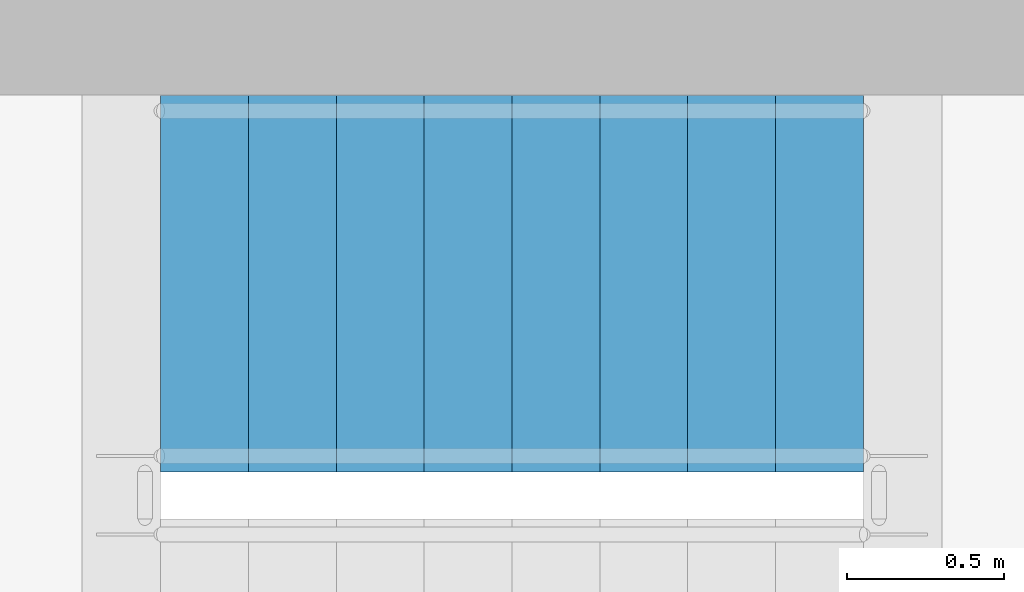
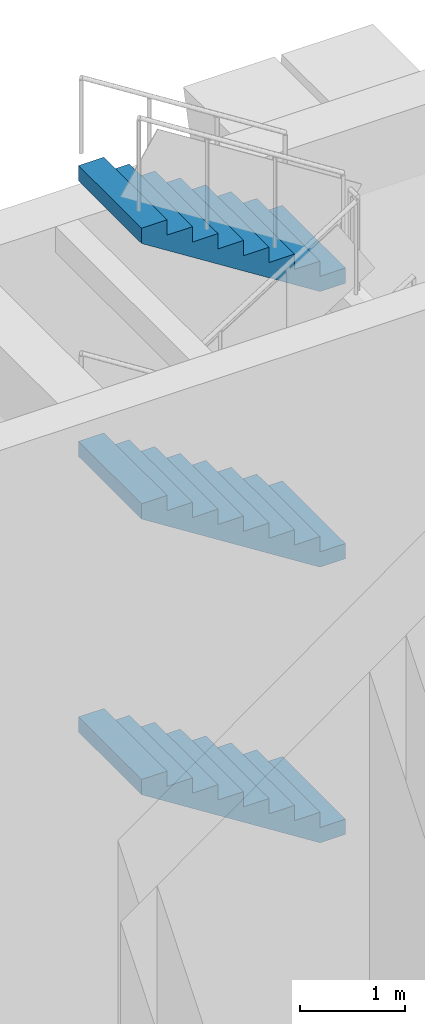
# One storey, part 12 of 16: 3 stair flights, 1 element without a shape of its own.
"""IFC4 building model written with IfcOpenShell, lengths in metres."""

from ifc_helpers import new_model, si_unit, direction, frame, origin, place, context, subcontext, project, spatial, polyline, outline, extrude, material, type_object, element, aggregate, save


model = new_model("IFC4")

# Units and contexts
model_context = context("Model", 3, precision=1e-05, world=origin(), true_north=direction((0.0, 1.0)))
body_context = subcontext(model_context, "Body", "Model", "MODEL_VIEW")
ifc_project = project(units=[si_unit("LENGTHUNIT", "METRE"), si_unit("AREAUNIT", "SQUARE_METRE"), si_unit("VOLUMEUNIT", "CUBIC_METRE"), si_unit("PLANEANGLEUNIT", "RADIAN"), si_unit("MASSUNIT", "GRAM", prefix="KILO")], contexts=[model_context])

# Site, building, storey
site_placement = place(None, origin())
site = spatial("IfcSite", under=ifc_project, at=site_placement, CompositionType="ELEMENT")
building_placement = place(site_placement, origin())
building = spatial("IfcBuilding", under=site, at=building_placement, Name="Vidyagriha Tower", CompositionType="ELEMENT")
storey_placement = place(building_placement, frame((0.0, 0.0, 64.0)))
storey = spatial("IfcBuildingStorey", under=building, at=storey_placement, Name="L17", CompositionType="ELEMENT", Elevation=64.0)

# Stair, stair flights
ifc_material_1 = material(Name="Concrete C40/50", Category="concrete")
stair_type = type_object("IfcStairType", Name="Exit stair, half-turn, precast flights", PredefinedType="HALF_TURN_STAIR", material=ifc_material_1)
stair_placement = place(storey_placement, origin())
stair = element("IfcStair", 1, at=stair_placement, inside=storey, type_object=stair_type, Name="L17 Exit Stair ST3", PredefinedType="HALF_TURN_STAIR")
ifc_material_2 = material(Name="Precast concrete C40/50", Category="concrete")
stair_flight_type = type_object("IfcStairFlightType", Name="Exit stair flight 1200 mm, precast", PredefinedType="STRAIGHT", material=ifc_material_2)
stair_flight_1_placement = place(storey_placement, frame((6.239990234375, 18.89990234375, 1.60009765625), z_axis=(0.0, 0.0, 1.0), x_axis=(-1.0, 0.0, 0.0)))
stair_flight_1 = element("IfcStairFlight", 2, at=stair_flight_1_placement, type_object=stair_flight_type, Name="ST3 flight 2", NumberOfRisers=9, NumberOfTreads=8, PredefinedType="STRAIGHT", RiserHeight=0.177777778, TreadLength=0.28, context=body_context, shape_type="SweptSolid", body=[
    extrude(outline(polyline([(0.0, 0.0), (0.0, 0.177734375), (0.280029296875, 0.177734375), (0.280029296875, 0.35546875), (0.56005859375, 0.35546875), (0.56005859375, 0.533447265625), (0.840087890625, 0.533447265625), (0.840087890625, 0.711181640625), (1.1201171875, 0.711181640625), (1.1201171875, 0.888916015625), (1.39990234375, 0.888916015625), (1.39990234375, 1.066650390625), (1.679931640625, 1.066650390625), (1.679931640625, 1.244384765625), (1.9599609375, 1.244384765625), (1.9599609375, 1.422119140625), (2.239990234375, 1.422119140625), (2.239990234375, 1.60009765625), (2.239990234375, 1.24462890625), (0.27978515625, 0.0), (0.0, 0.0)])), frame((0.0, 0.60009765625, 0.0), z_axis=(0.0, -1.0, 0.0), x_axis=(1.0, 0.0, 0.0)), (0.0, 0.0, 1.0), 1.199951171875),
])
stair_flight_2_placement = place(storey_placement, frame((6.239990234375, 18.89990234375, 4.800048828125), z_axis=(0.0, 0.0, 1.0), x_axis=(-1.0, 0.0, 0.0)))
stair_flight_2 = element("IfcStairFlight", 3, at=stair_flight_2_placement, type_object=stair_flight_type, Name="ST3 flight 4", NumberOfRisers=9, NumberOfTreads=8, PredefinedType="STRAIGHT", RiserHeight=0.177777778, TreadLength=0.28, context=body_context, shape_type="SweptSolid", body=[
    extrude(outline(polyline([(0.0, 0.0), (0.0, 0.177734375), (0.280029296875, 0.177734375), (0.280029296875, 0.35546875), (0.56005859375, 0.35546875), (0.56005859375, 0.533447265625), (0.840087890625, 0.533447265625), (0.840087890625, 0.711181640625), (1.1201171875, 0.711181640625), (1.1201171875, 0.888916015625), (1.39990234375, 0.888916015625), (1.39990234375, 1.066650390625), (1.679931640625, 1.066650390625), (1.679931640625, 1.244384765625), (1.9599609375, 1.244384765625), (1.9599609375, 1.422119140625), (2.239990234375, 1.422119140625), (2.239990234375, 1.60009765625), (2.239990234375, 1.24462890625), (0.27978515625, 0.0), (0.0, 0.0)])), frame((0.0, 0.60009765625, 0.0), z_axis=(0.0, -1.0, 0.0), x_axis=(1.0, 0.0, 0.0)), (0.0, 0.0, 1.0), 1.199951171875),
])
stair_flight_3_placement = place(storey_placement, frame((6.239990234375, 18.89990234375, 8.0), z_axis=(0.0, 0.0, 1.0), x_axis=(-1.0, 0.0, 0.0)))
stair_flight_3 = element("IfcStairFlight", 4, at=stair_flight_3_placement, type_object=stair_flight_type, Name="ST3 flight 6", NumberOfRisers=9, NumberOfTreads=8, PredefinedType="STRAIGHT", RiserHeight=0.177777778, TreadLength=0.28, context=body_context, shape_type="SweptSolid", body=[
    extrude(outline(polyline([(0.0, 0.0), (0.0, 0.177734375), (0.280029296875, 0.177734375), (0.280029296875, 0.35546875), (0.56005859375, 0.35546875), (0.56005859375, 0.533447265625), (0.840087890625, 0.533447265625), (0.840087890625, 0.711181640625), (1.1201171875, 0.711181640625), (1.1201171875, 0.888916015625), (1.39990234375, 0.888916015625), (1.39990234375, 1.066650390625), (1.679931640625, 1.066650390625), (1.679931640625, 1.244384765625), (1.9599609375, 1.244384765625), (1.9599609375, 1.422119140625), (2.239990234375, 1.422119140625), (2.239990234375, 1.60009765625), (2.239990234375, 1.24462890625), (0.27978515625, 0.0), (0.0, 0.0)])), frame((0.0, 0.60009765625, 0.0), z_axis=(0.0, -1.0, 0.0), x_axis=(1.0, 0.0, 0.0)), (0.0, 0.0, 1.0), 1.199951171875),
])
aggregate(stair, [stair_flight_1, stair_flight_2, stair_flight_3])

save(model, "model.ifc")
